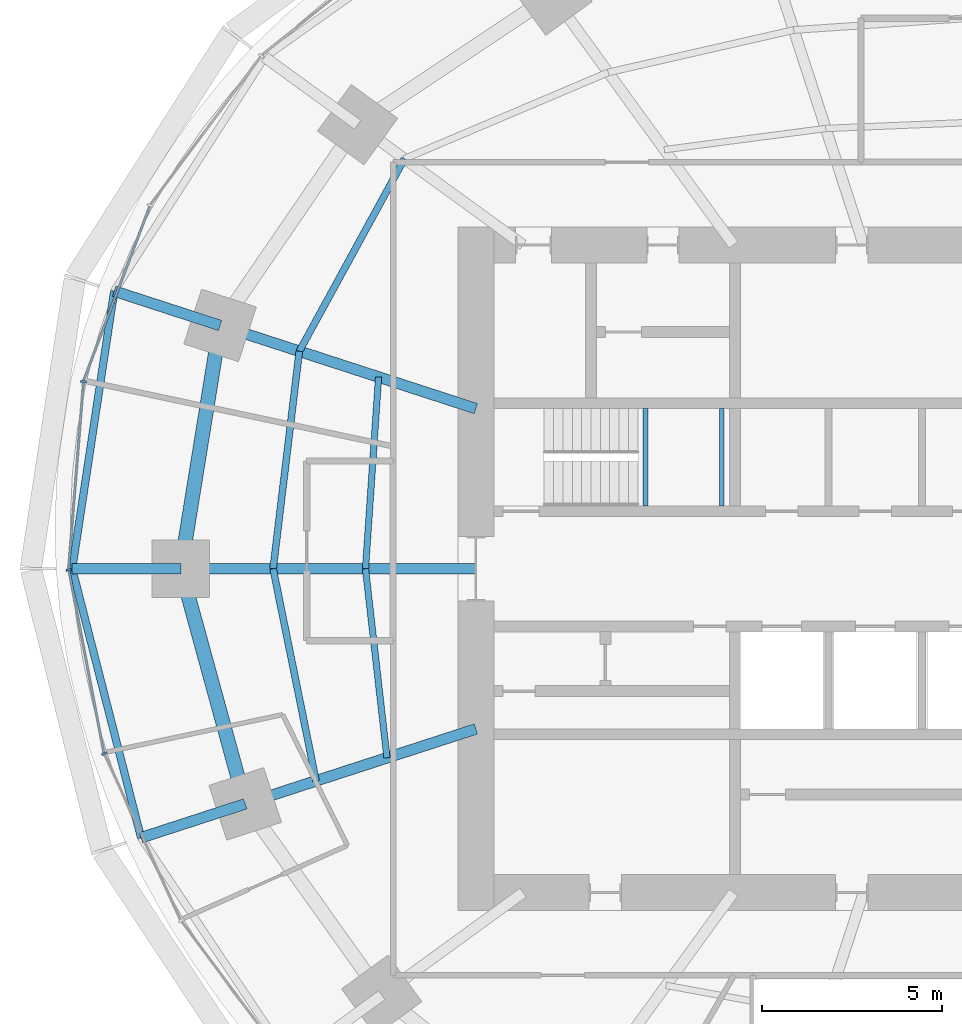
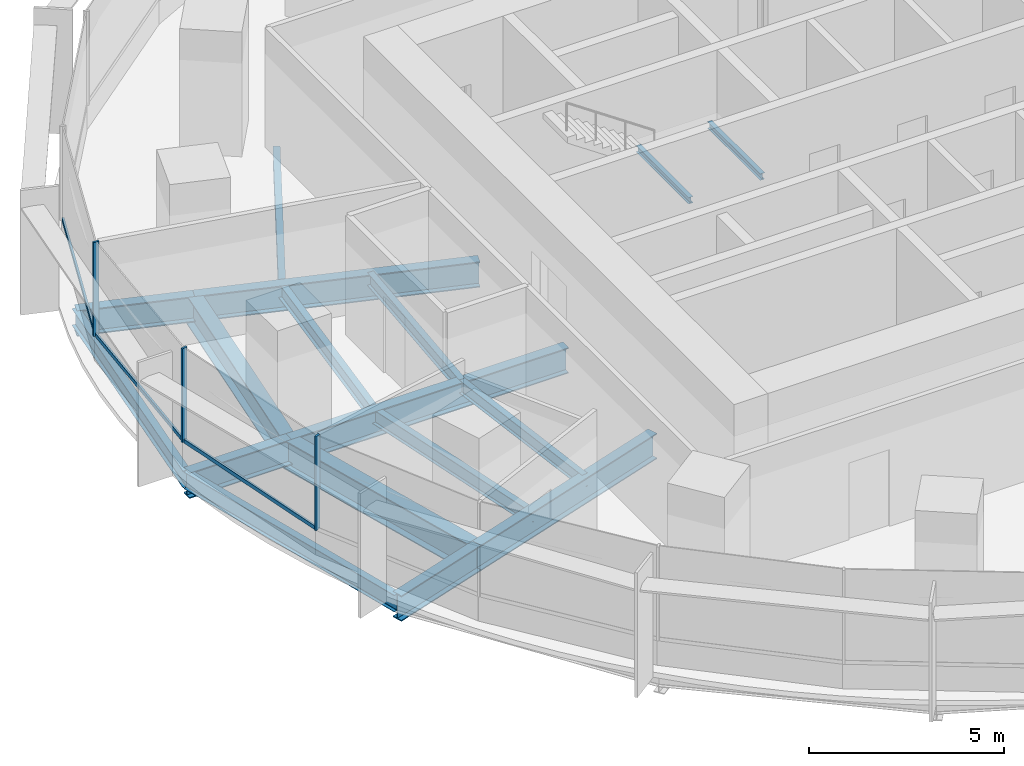
# One storey, part 4 of 14: 17 beams, 6 members, 2 elements without a shape of their own.
"""IFC4 building model written with IfcOpenShell, lengths in metres."""

import ifcopenshell
import ifcopenshell.guid

model = None  # the IFC model being written
_history = None  # IfcOwnerHistory: only IFC2X3 demands one
_inside = {}  # id of a spatial element -> (the spatial element, [elements in it])
_under = {}  # id of a project, library or spatial element -> (it, [spatial elements below it])
_declared = {}  # id of a project -> (the project, [libraries it declares])
_typed = {}  # id of a type object -> (the type object, [elements of that type])
_made_of = {}  # id of a material, layer set ... -> (it, [elements and type objects made of it])


def new_model(schema):
    """Start an empty IFC model of exactly this schema.

    Asked for "IFC4X3", IfcOpenShell would pick the latest addendum, in which some entities
    have other attributes; the version numbers below select the first issue.
    IFC2X3 requires an IfcOwnerHistory on every rooted entity: one is made here for all.
    """
    global model, _history
    if schema == "IFC4X3":
        model = ifcopenshell.file(schema_version=(4, 3, 0, 0))
    else:
        model = ifcopenshell.file(schema=schema)
    _inside.clear()
    _under.clear()
    _declared.clear()
    _typed.clear()
    _made_of.clear()
    _history = None
    if model.schema == "IFC2X3":
        org = make("IfcOrganization", Name="unknown")
        user = make(
            "IfcPersonAndOrganization",
            ThePerson=make("IfcPerson", FamilyName="unknown"),
            TheOrganization=org,
        )
        app = make(
            "IfcApplication",
            ApplicationDeveloper=org,
            Version="unknown",
            ApplicationFullName="unknown",
            ApplicationIdentifier="unknown",
        )
        _history = make(
            "IfcOwnerHistory",
            OwningUser=user,
            OwningApplication=app,
            ChangeAction="ADDED",
            CreationDate=0,
        )
    return model


def make(cls, **values):
    """One entity of the class cls with the attributes given. An attribute that is None is left unset."""
    return model.create_entity(
        cls, **{name: value for name, value in values.items() if value is not None}
    )


def rooted(cls, **values):
    """An entity with a GlobalId (a new one), such as an element, a storey or a relation."""
    return make(cls, GlobalId=ifcopenshell.guid.new(), OwnerHistory=_history, **values)


def si_unit(unit_type, name, prefix=None):
    """IfcSIUnit, for example si_unit("LENGTHUNIT", "METRE", prefix="MILLI")."""
    return make("IfcSIUnit", UnitType=unit_type, Prefix=prefix, Name=name)


def assignment(units):
    """IfcUnitAssignment: the units of a project."""
    return None if units is None else make("IfcUnitAssignment", Units=units)


def point(xyz):
    """IfcCartesianPoint."""
    return None if xyz is None else make("IfcCartesianPoint", Coordinates=xyz)


def direction(xyz):
    """IfcDirection."""
    return None if xyz is None else make("IfcDirection", DirectionRatios=xyz)


def frame(location, z_axis=None, x_axis=None):
    """IfcAxis2Placement3D, a coordinate frame: its origin and axes. An axis left out is left unset."""
    return make(
        "IfcAxis2Placement3D",
        Location=point(location),
        Axis=direction(z_axis),
        RefDirection=direction(x_axis),
    )


def frame_2d(location, x_axis=None):
    """IfcAxis2Placement2D, a coordinate frame in the plane: its origin and x axis."""
    return make(
        "IfcAxis2Placement2D", Location=point(location), RefDirection=direction(x_axis)
    )


def origin():
    """The frame at (0, 0, 0) with its axes left unset."""
    return frame((0.0, 0.0, 0.0))


def origin_2d():
    """The frame at (0, 0) in the plane with its x axis left unset."""
    return frame_2d((0.0, 0.0))


def place(relative_to, where):
    """IfcLocalPlacement: puts the frame where relative to a parent placement (None: the world)."""
    return make(
        "IfcLocalPlacement", PlacementRelTo=relative_to, RelativePlacement=where
    )


def context(
    kind, dimensions, precision=None, world=None, true_north=None, identifier=None
):
    """IfcGeometricRepresentationContext, for example the 3D "Model" context."""
    return make(
        "IfcGeometricRepresentationContext",
        ContextIdentifier=identifier,
        ContextType=kind,
        CoordinateSpaceDimension=dimensions,
        Precision=precision,
        WorldCoordinateSystem=world,
        TrueNorth=true_north,
    )


def subcontext(parent, identifier, kind, view, scale=None):
    """IfcGeometricRepresentationSubContext, for example "Body" below "Model"."""
    return make(
        "IfcGeometricRepresentationSubContext",
        ContextIdentifier=identifier,
        ContextType=kind,
        ParentContext=parent,
        TargetScale=scale,
        TargetView=view,
    )


def project(units=None, contexts=None):
    """IfcProject with its units and contexts."""
    return rooted(
        "IfcProject",
        Name="project",
        RepresentationContexts=contexts,
        UnitsInContext=assignment(units),
    )


def spatial(cls, under=None, at=None, **own):
    """A site, building, storey or space (cls), placed at a placement, below another one or the project."""
    s = rooted(cls, ObjectPlacement=at, **own)
    if under is not None:
        _under.setdefault(under.id(), (under, []))[1].append(s)
    return s


def profile(cls, at=None, kind="AREA", **sizes):
    """A parametric profile (cls). Its sizes go by their IFC names, for example OverallWidth=200.0."""
    return make(cls, ProfileType=kind, Position=at, **sizes)


def rectangle(**sizes):
    """IfcRectangleProfileDef."""
    return profile("IfcRectangleProfileDef", **sizes)


def i_section(**sizes):
    """IfcIShapeProfileDef."""
    return profile("IfcIShapeProfileDef", **sizes)


def extrude(swept, where, along, depth):
    """IfcExtrudedAreaSolid: the profile swept, set in the frame where, extruded along a direction by depth."""
    return make(
        "IfcExtrudedAreaSolid",
        SweptArea=swept,
        Position=where,
        ExtrudedDirection=direction(along),
        Depth=depth,
    )


def shape(context_of_items, identifier, shape_type, items):
    """IfcShapeRepresentation: the items that make up one representation, for example the "Body"."""
    return make(
        "IfcShapeRepresentation",
        ContextOfItems=context_of_items,
        RepresentationIdentifier=identifier,
        RepresentationType=shape_type,
        Items=items,
    )


def material(Name=None, Category=None):
    """IfcMaterial."""
    return make("IfcMaterial", Name=Name, Category=Category)


def material_profile(
    of_material, cross_section, Name=None, Category=None, Priority=None
):
    """IfcMaterialProfile: a cross section and its material."""
    return make(
        "IfcMaterialProfile",
        Name=Name,
        Material=of_material,
        Profile=cross_section,
        Priority=Priority,
        Category=Category,
    )


def profile_set(profiles, Name=None, composite=None):
    """IfcMaterialProfileSet."""
    return make(
        "IfcMaterialProfileSet",
        Name=Name,
        MaterialProfiles=profiles,
        CompositeProfile=composite,
    )


def made_of(thing, what):
    """Note that an element or type object is made of a material, layer set ...; save() writes the relation."""
    if what is not None:
        _made_of.setdefault(what.id(), (what, []))[1].append(thing)
    return thing


def type_object(cls, material=None, **own):
    """A type object (cls), such as IfcWallType, which elements share."""
    return made_of(rooted(cls, **own), material)


def element(
    cls,
    number,
    at=None,
    inside=None,
    cuts=None,
    type_object=None,
    material=None,
    context=None,
    identifier="Body",
    shape_type=None,
    held_by="IfcProductDefinitionShape",
    body=None,
    shapes=None,
    **own,
):
    """One element of the class cls, such as IfcWall. Its Tag is "e" and its number.

    at: its placement. inside: the storey or other place that contains it. cuts: it is an
    opening in that element (IfcRelVoidsElement). A single representation is given by context,
    identifier, shape_type and body (its items); several are given by shapes. held_by: the class
    of the entity that holds the representations. save() writes the other relations.
    """
    e = rooted(cls, Tag="e%d" % number, ObjectPlacement=at, **own)
    if body is not None:
        shapes = [shape(context, identifier, shape_type, body)]
    if shapes is not None:
        e.Representation = make(held_by, Representations=shapes)
    if inside is not None:
        _inside.setdefault(inside.id(), (inside, []))[1].append(e)
    if cuts is not None:
        rooted(
            "IfcRelVoidsElement", RelatingBuildingElement=cuts, RelatedOpeningElement=e
        )
    if type_object is not None:
        _typed.setdefault(type_object.id(), (type_object, []))[1].append(e)
    return made_of(e, material)


def aggregate(whole, parts):
    """IfcRelAggregates: a whole, such as a stair, and the parts it consists of."""
    return rooted("IfcRelAggregates", RelatingObject=whole, RelatedObjects=parts)


def save(model, path):
    """Write the relations noted so far, then the file.

    IfcRelAggregates (storeys below a building ...), IfcRelContainedInSpatialStructure (elements
    in a storey), IfcRelDefinesByType, IfcRelAssociatesMaterial and IfcRelDeclares: one each for
    every whole, place, type object, material and project.
    """
    for whole, parts in _under.values():
        aggregate(whole, parts)
    for where, things in _inside.values():
        rooted(
            "IfcRelContainedInSpatialStructure",
            RelatedElements=things,
            RelatingStructure=where,
        )
    for kind, things in _typed.values():
        rooted("IfcRelDefinesByType", RelatedObjects=things, RelatingType=kind)
    for what, things in _made_of.values():
        rooted("IfcRelAssociatesMaterial", RelatedObjects=things, RelatingMaterial=what)
    for by, libraries in _declared.values():
        rooted("IfcRelDeclares", RelatingContext=by, RelatedDefinitions=libraries)
    model.write(path)


model = new_model("IFC4")

# Units and contexts
model_context = context("Model", 3, precision=1e-05, world=origin(), true_north=direction((0.0, 1.0)))
body_context = subcontext(model_context, "Body", "Model", "MODEL_VIEW")
ifc_project = project(units=[si_unit("LENGTHUNIT", "METRE"), si_unit("AREAUNIT", "SQUARE_METRE"), si_unit("VOLUMEUNIT", "CUBIC_METRE"), si_unit("PLANEANGLEUNIT", "RADIAN"), si_unit("MASSUNIT", "GRAM", prefix="KILO")], contexts=[model_context])

# Site, building, storey
site_placement = place(None, origin())
site = spatial("IfcSite", under=ifc_project, at=site_placement, CompositionType="ELEMENT")
building_placement = place(site_placement, origin())
building = spatial("IfcBuilding", under=site, at=building_placement, Name="Marramba Exchange Tower", CompositionType="ELEMENT")
storey_placement = place(building_placement, frame((0.0, 0.0, 123.60009765625)))
storey = spatial("IfcBuildingStorey", under=building, at=storey_placement, Name="L29", CompositionType="ELEMENT", Elevation=123.60009765625)

# Beams
ifc_material_1 = material(Name="Steel AS/NZS 3679.2 grade 300", Category="steel")
ifc_material_profile_1 = material_profile(ifc_material_1, i_section(OverallWidth=0.300048828125, OverallDepth=0.800048828125, WebThickness=0.013916015625, FlangeThickness=0.031982421875, at=origin_2d()), Name="800WB192")
ifc_profile_set_1 = profile_set([ifc_material_profile_1], Name="Steel AS/NZS 3679.2 grade 300")
beam_type_1 = type_object("IfcBeamType", Name="Cantilever girder 800WB192", PredefinedType="BEAM", material=ifc_profile_set_1)
beam_1_placement = place(storey_placement, frame((-20.808349609375, 6.760986328125, -0.56005859375), z_axis=(-0.95104799017, 0.309043233858, 0.0), x_axis=(-0.309043233858, -0.95104799017, 0.0)))
element("IfcBeam", 1, at=beam_1_placement, inside=storey, type_object=beam_type_1, Name="Cantilever girder L29 TC10", PredefinedType="BEAM", context=body_context, shape_type="SweptSolid", body=[
    extrude(i_section(OverallWidth=0.300048828125, OverallDepth=0.800048828125, WebThickness=0.013916015625, FlangeThickness=0.031982421875, at=origin_2d()), origin(), (0.0, 0.0, 1.0), 3.0927734375),
])
beam_2_placement = place(storey_placement, frame((-21.89990234375, 0.0, -0.56005859375), z_axis=(-1.0, 0.0, 0.0), x_axis=(0.0, -1.0, 0.0)))
element("IfcBeam", 2, at=beam_2_placement, inside=storey, type_object=beam_type_1, Name="Cantilever girder L29 TC11", PredefinedType="BEAM", context=body_context, shape_type="SweptSolid", body=[
    extrude(i_section(OverallWidth=0.300048828125, OverallDepth=0.800048828125, WebThickness=0.013916015625, FlangeThickness=0.031982421875, at=origin_2d()), origin(), (0.0, 0.0, 1.0), 3.01806640625),
])
beam_3_placement = place(storey_placement, frame((-20.109375, -6.533935546875, -0.56005859375), z_axis=(-0.951070617775, -0.308973591113, 0.0), x_axis=(0.308973591113, -0.951070617775, 0.0)))
element("IfcBeam", 3, at=beam_3_placement, inside=storey, type_object=beam_type_1, Name="Cantilever girder L29 TC12", PredefinedType="BEAM", context=body_context, shape_type="SweptSolid", body=[
    extrude(i_section(OverallWidth=0.300048828125, OverallDepth=0.800048828125, WebThickness=0.013916015625, FlangeThickness=0.031982421875, at=origin_2d()), origin(), (0.0, 0.0, 1.0), 3.04296875),
])
ifc_material_2 = material(Name="Steel AS/NZS 3679.1 grade 300", Category="steel")
ifc_material_profile_2 = material_profile(ifc_material_2, i_section(OverallWidth=0.177978515625, OverallDepth=0.406005859375, WebThickness=0.0078125, FlangeThickness=0.0126953125, FilletRadius=0.011474609375, at=origin_2d()), Name="410UB59.7")
ifc_profile_set_2 = profile_set([ifc_material_profile_2], Name="Steel AS/NZS 3679.1 grade 300")
beam_type_2 = type_object("IfcBeamType", Name="Floor joist 410UB59.7", PredefinedType="JOIST", material=ifc_profile_set_2)
beam_4_placement = place(storey_placement, frame((-16.40283203125, 5.32958984375, -0.363037109375), z_axis=(-0.068096259546, -0.99767875563, 0.0), x_axis=(0.99767875563, -0.068096259546, 0.0)))
element("IfcBeam", 4, at=beam_4_placement, inside=storey, type_object=beam_type_2, Name="Joist L29 bay 10 row 1", PredefinedType="JOIST", context=body_context, shape_type="SweptSolid", body=[
    extrude(i_section(OverallWidth=0.177978515625, OverallDepth=0.406005859375, WebThickness=0.0078125, FlangeThickness=0.0126953125, FilletRadius=0.011474609375, at=origin_2d()), origin(), (0.0, 0.0, 1.0), 5.342041015625),
])
beam_5_placement = place(storey_placement, frame((-16.7666015625, 0.0, -0.363037109375), z_axis=(0.112888968594, -0.993607609054, 0.0), x_axis=(0.993607609054, 0.112888968594, 0.0)))
element("IfcBeam", 5, at=beam_5_placement, inside=storey, type_object=beam_type_2, Name="Joist L29 bay 11 row 1", PredefinedType="JOIST", context=body_context, shape_type="SweptSolid", body=[
    extrude(i_section(OverallWidth=0.177978515625, OverallDepth=0.406005859375, WebThickness=0.0078125, FlangeThickness=0.0126953125, FilletRadius=0.011474609375, at=origin_2d()), origin(), (0.0, 0.0, 1.0), 5.28759765625),
])
ifc_material_profile_3 = material_profile(ifc_material_2, i_section(OverallWidth=0.18994140625, OverallDepth=0.4541015625, WebThickness=0.008544921875, FlangeThickness=0.0126953125, FilletRadius=0.011474609375, at=origin_2d()), Name="460UB67.1")
ifc_profile_set_3 = profile_set([ifc_material_profile_3], Name="Steel AS/NZS 3679.1 grade 300")
beam_type_3 = type_object("IfcBeamType", Name="Floor joist 460UB67.1", PredefinedType="JOIST", material=ifc_profile_set_3)
beam_6_placement = place(storey_placement, frame((-15.682373046875, 11.393798828125, -0.38720703125), z_axis=(-0.479584443791, -0.877495732909, 0.0), x_axis=(0.877495732909, -0.479584443791, 0.0)))
element("IfcBeam", 6, at=beam_6_placement, inside=storey, type_object=beam_type_3, Name="Joist L29 bay 09 row 2", PredefinedType="JOIST", context=body_context, shape_type="SweptSolid", body=[
    extrude(i_section(OverallWidth=0.18994140625, OverallDepth=0.4541015625, WebThickness=0.008544921875, FlangeThickness=0.0126953125, FilletRadius=0.011474609375, at=origin_2d()), origin(), (0.0, 0.0, 1.0), 6.094970703125),
])
beam_7_placement = place(storey_placement, frame((-18.60546875, 6.04541015625, -0.38720703125), z_axis=(-0.119523078538, -0.992831422597, 0.0), x_axis=(0.992831422597, -0.119523078538, 0.0)))
element("IfcBeam", 7, at=beam_7_placement, inside=storey, type_object=beam_type_3, Name="Joist L29 bay 10 row 2", PredefinedType="JOIST", context=body_context, shape_type="SweptSolid", body=[
    extrude(i_section(OverallWidth=0.18994140625, OverallDepth=0.4541015625, WebThickness=0.008544921875, FlangeThickness=0.0126953125, FilletRadius=0.011474609375, at=origin_2d()), origin(), (0.0, 0.0, 1.0), 6.089111328125),
])
beam_8_placement = place(storey_placement, frame((-19.333251953125, 0.0, -0.38720703125), z_axis=(0.198489047047, -0.980103105904, 0.0), x_axis=(0.980103105904, 0.198489047047, 0.0)))
element("IfcBeam", 8, at=beam_8_placement, inside=storey, type_object=beam_type_3, Name="Joist L29 bay 11 row 2", PredefinedType="JOIST", context=body_context, shape_type="SweptSolid", body=[
    extrude(i_section(OverallWidth=0.18994140625, OverallDepth=0.4541015625, WebThickness=0.008544921875, FlangeThickness=0.0126953125, FilletRadius=0.011474609375, at=origin_2d()), origin(), (0.0, 0.0, 1.0), 6.013427734375),
])

# Curtain wall, member
ifc_material_3 = material(Name="Aluminium framing, bronze anodised", Category="aluminium")
curtain_wall_type = type_object("IfcCurtainWallType", Name="Office ribbon curtain wall", PredefinedType="USERDEFINED", material=ifc_material_3)
curtain_wall_1_placement = place(storey_placement, origin())
curtain_wall_1 = element("IfcCurtainWall", 9, at=curtain_wall_1_placement, inside=storey, type_object=curtain_wall_type, Name="Curtain wall CW4 L29 F11-F15", ObjectType="RIBBON CURTAIN WALL", PredefinedType="USERDEFINED")
ifc_material_4 = material(Name="Aluminium mullion, bronze anodised", Category="aluminium")
ifc_material_profile_4 = material_profile(ifc_material_4, rectangle(XDim=0.159912109375, YDim=0.06005859375, at=origin_2d()), Name="CW4 mullion 60x160")
ifc_profile_set_4 = profile_set([ifc_material_profile_4], Name="Aluminium mullion, bronze anodised")
member_type_1 = type_object("IfcMemberType", Name="Office ribbon curtain wall mullion", PredefinedType="MULLION", material=ifc_profile_set_4)
member_1_placement = place(storey_placement, frame((-24.603515625, 5.19921875, 0.7998046875), z_axis=(0.0, 0.0, 1.0), x_axis=(0.996838079455, -0.079459696383, 0.0)))
member_1 = element("IfcMember", 10, at=member_1_placement, type_object=member_type_1, Name="CW4 mullion 1", PredefinedType="MULLION", context=body_context, shape_type="SweptSolid", body=[
    extrude(rectangle(XDim=0.159912109375, YDim=0.06005859375, at=origin_2d()), origin(), (0.0, 0.0, 1.0), 2.940185546875),
])

# Curtain wall, members
curtain_wall_2_placement = place(storey_placement, origin())
curtain_wall_2 = element("IfcCurtainWall", 11, at=curtain_wall_2_placement, inside=storey, type_object=curtain_wall_type, Name="Curtain wall CW4 L29 F16-F20", ObjectType="RIBBON CURTAIN WALL", PredefinedType="USERDEFINED")
member_2_placement = place(storey_placement, frame((-25.012451171875, -0.029541015625, 0.7998046875), z_axis=(0.0, 0.0, 1.0), x_axis=(0.982125509078, 0.18822721487, 0.0)))
member_2 = element("IfcMember", 12, at=member_2_placement, type_object=member_type_1, Name="CW4 mullion 1", PredefinedType="MULLION", context=body_context, shape_type="SweptSolid", body=[
    extrude(rectangle(XDim=0.159912109375, YDim=0.06005859375, at=origin_2d()), origin(), (0.0, 0.0, 1.0), 2.940185546875),
])
member_3_placement = place(storey_placement, frame((-24.026123046875, -5.136962890625, 0.7998046875), z_axis=(0.0, 0.0, 1.0), x_axis=(0.909026713177, 0.416737848929, 0.0)))
member_3 = element("IfcMember", 13, at=member_3_placement, type_object=member_type_1, Name="CW4 mullion 1", PredefinedType="MULLION", context=body_context, shape_type="SweptSolid", body=[
    extrude(rectangle(XDim=0.159912109375, YDim=0.06005859375, at=origin_2d()), origin(), (0.0, 0.0, 1.0), 2.940185546875),
])

# Member
ifc_material_5 = material(Name="Aluminium transom, bronze anodised", Category="aluminium")
ifc_material_profile_5 = material_profile(ifc_material_5, rectangle(XDim=0.06005859375, YDim=0.1201171875, at=origin_2d()), Name="CW4 transom 60x120")
ifc_profile_set_5 = profile_set([ifc_material_profile_5], Name="Aluminium transom, bronze anodised")
member_type_2 = type_object("IfcMemberType", Name="Office ribbon curtain wall transom", PredefinedType="USERDEFINED", material=ifc_profile_set_5)
member_4_placement = place(storey_placement, frame((-22.763916015625, 10.069580078125, 0.829833984375), z_axis=(-0.354851822252, -0.934922555212, 0.0), x_axis=(0.934922555212, -0.354851822252, 0.0)))
member_4 = element("IfcMember", 14, at=member_4_placement, type_object=member_type_2, Name="CW4 sill transom", ObjectType="TRANSOM", PredefinedType="USERDEFINED", context=body_context, shape_type="SweptSolid", body=[
    extrude(rectangle(XDim=0.06005859375, YDim=0.1201171875, at=origin_2d()), origin(), (0.0, 0.0, 1.0), 5.17724609375),
])

member_5_placement = place(storey_placement, frame((-24.60595703125, 5.16943359375, 0.829833984375), z_axis=(-0.07946828762, -0.996837394595, 0.0), x_axis=(0.996837394595, -0.07946828762, 0.0)))
member_5 = element("IfcMember", 15, at=member_5_placement, type_object=member_type_2, Name="CW4 sill transom", ObjectType="TRANSOM", PredefinedType="USERDEFINED", context=body_context, shape_type="SweptSolid", body=[
    extrude(rectangle(XDim=0.06005859375, YDim=0.1201171875, at=origin_2d()), origin(), (0.0, 0.0, 1.0), 5.185791015625),
])

aggregate(curtain_wall_1, [member_4, member_1, member_5])

member_6_placement = place(storey_placement, frame((-25.006591796875, -0.058837890625, 0.829833984375), z_axis=(0.188185293992, -0.982133542409, 0.0), x_axis=(0.982133542409, 0.188185293992, 0.0)))
member_6 = element("IfcMember", 16, at=member_6_placement, type_object=member_type_2, Name="CW4 sill transom", ObjectType="TRANSOM", PredefinedType="USERDEFINED", context=body_context, shape_type="SweptSolid", body=[
    extrude(rectangle(XDim=0.06005859375, YDim=0.1201171875, at=origin_2d()), origin(), (0.0, 0.0, 1.0), 5.142578125),
])

aggregate(curtain_wall_2, [member_2, member_6, member_3])

# Beams
ifc_material_profile_6 = material_profile(ifc_material_1, i_section(OverallWidth=0.300048828125, OverallDepth=0.800048828125, WebThickness=0.013916015625, FlangeThickness=0.031982421875, at=origin_2d()), Name="800WB192")
ifc_profile_set_6 = profile_set([ifc_material_profile_6], Name="Steel AS/NZS 3679.2 grade 300")
beam_type_4 = type_object("IfcBeamType", Name="Radial girder 800WB192", PredefinedType="BEAM", material=ifc_profile_set_6)
beam_9_placement = place(storey_placement, frame((-13.699951171875, 4.451416015625, -0.56005859375), z_axis=(-0.951059990189, 0.309006302624, 0.0), x_axis=(-0.309006302624, -0.951059990189, 0.0)))
element("IfcBeam", 17, at=beam_9_placement, inside=storey, type_object=beam_type_4, Name="Radial girder L29 TC10", PredefinedType="BEAM", context=body_context, shape_type="SweptSolid", body=[
    extrude(i_section(OverallWidth=0.300048828125, OverallDepth=0.800048828125, WebThickness=0.013916015625, FlangeThickness=0.031982421875, at=origin_2d()), origin(), (0.0, 0.0, 1.0), 7.47412109375),
])
beam_10_placement = place(storey_placement, frame((-13.699951171875, 0.0, -0.56005859375), z_axis=(-1.0, 0.0, 0.0), x_axis=(0.0, -1.0, 0.0)))
element("IfcBeam", 18, at=beam_10_placement, inside=storey, type_object=beam_type_4, Name="Radial girder L29 TC11", PredefinedType="BEAM", context=body_context, shape_type="SweptSolid", body=[
    extrude(i_section(OverallWidth=0.300048828125, OverallDepth=0.800048828125, WebThickness=0.013916015625, FlangeThickness=0.031982421875, at=origin_2d()), origin(), (0.0, 0.0, 1.0), 8.199951171875),
])
beam_11_placement = place(storey_placement, frame((-13.699951171875, -4.451416015625, -0.56005859375), z_axis=(-0.951057759669, -0.309013167637, 0.0), x_axis=(0.309013167637, -0.951057759669, 0.0)))
element("IfcBeam", 19, at=beam_11_placement, inside=storey, type_object=beam_type_4, Name="Radial girder L29 TC12", PredefinedType="BEAM", context=body_context, shape_type="SweptSolid", body=[
    extrude(i_section(OverallWidth=0.300048828125, OverallDepth=0.800048828125, WebThickness=0.013916015625, FlangeThickness=0.031982421875, at=origin_2d()), origin(), (0.0, 0.0, 1.0), 6.7392578125),
])
ifc_material_profile_7 = material_profile(ifc_material_1, i_section(OverallWidth=0.39990234375, OverallDepth=0.89990234375, WebThickness=0.01611328125, FlangeThickness=0.031982421875, at=origin_2d()), Name="900WB282")
ifc_profile_set_7 = profile_set([ifc_material_profile_7], Name="Steel AS/NZS 3679.2 grade 300")
beam_type_5 = type_object("IfcBeamType", Name="Ring beam 900WB282", PredefinedType="SPANDREL", material=ifc_profile_set_7)
beam_12_placement = place(storey_placement, frame((-20.808349609375, 6.760986328125, -0.610107421875), z_axis=(-0.159384865399, -0.987216523708, 0.0), x_axis=(0.987216523708, -0.159384865399, 0.0)))
element("IfcBeam", 20, at=beam_12_placement, inside=storey, type_object=beam_type_5, Name="Ring beam L29 TC10-TC11", PredefinedType="SPANDREL", context=body_context, shape_type="SweptSolid", body=[
    extrude(i_section(OverallWidth=0.39990234375, OverallDepth=0.89990234375, WebThickness=0.01611328125, FlangeThickness=0.031982421875, at=origin_2d()), origin(), (0.0, 0.0, 1.0), 6.8486328125),
])
beam_13_placement = place(storey_placement, frame((-21.89990234375, 0.0, -0.610107421875), z_axis=(0.264291166956, -0.964442937176, 0.0), x_axis=(0.964442937176, 0.264291166956, 0.0)))
element("IfcBeam", 21, at=beam_13_placement, inside=storey, type_object=beam_type_5, Name="Ring beam L29 TC11-TC12", PredefinedType="SPANDREL", context=body_context, shape_type="SweptSolid", body=[
    extrude(i_section(OverallWidth=0.39990234375, OverallDepth=0.89990234375, WebThickness=0.01611328125, FlangeThickness=0.031982421875, at=origin_2d()), origin(), (0.0, 0.0, 1.0), 6.77490234375),
])
ifc_material_profile_8 = material_profile(ifc_material_2, i_section(OverallWidth=0.208984375, OverallDepth=0.528076171875, WebThickness=0.009521484375, FlangeThickness=0.01318359375, FilletRadius=0.013916015625, at=origin_2d()), Name="530UB82.0")
ifc_profile_set_8 = profile_set([ifc_material_profile_8], Name="Steel AS/NZS 3679.1 grade 300")
beam_type_6 = type_object("IfcBeamType", Name="Slab edge beam 530UB82.0", PredefinedType="SPANDREL", material=ifc_profile_set_8)
beam_14_placement = place(storey_placement, frame((-23.749755859375, 7.716796875, -0.424072265625), z_axis=(-0.149680281727, -0.988734450326, 0.0), x_axis=(0.988734450326, -0.149680281727, 0.0)))
element("IfcBeam", 22, at=beam_14_placement, inside=storey, type_object=beam_type_6, Name="Slab edge beam L29 TC10-TC11", PredefinedType="SPANDREL", context=body_context, shape_type="SweptSolid", body=[
    extrude(i_section(OverallWidth=0.208984375, OverallDepth=0.528076171875, WebThickness=0.009521484375, FlangeThickness=0.01318359375, FilletRadius=0.013916015625, at=origin_2d()), origin(), (0.0, 0.0, 1.0), 7.8046875),
])
beam_15_placement = place(storey_placement, frame((-24.91796875, 0.0, -0.424072265625), z_axis=(0.248145427917, -0.968722791413, 0.0), x_axis=(0.968722791413, 0.248145427917, 0.0)))
element("IfcBeam", 23, at=beam_15_placement, inside=storey, type_object=beam_type_6, Name="Slab edge beam L29 TC11-TC12", PredefinedType="SPANDREL", context=body_context, shape_type="SweptSolid", body=[
    extrude(i_section(OverallWidth=0.208984375, OverallDepth=0.528076171875, WebThickness=0.009521484375, FlangeThickness=0.01318359375, FilletRadius=0.013916015625, at=origin_2d()), origin(), (0.0, 0.0, 1.0), 7.71533203125),
])
ifc_material_profile_9 = material_profile(ifc_material_2, i_section(OverallWidth=0.133056640625, OverallDepth=0.202880859375, WebThickness=0.005859375, FlangeThickness=0.0078125, FilletRadius=0.0087890625, at=origin_2d()), Name="200UB25.4")
ifc_profile_set_9 = profile_set([ifc_material_profile_9], Name="Steel AS/NZS 3679.1 grade 300")
beam_type_7 = type_object("IfcBeamType", Name="Stair landing beam 200UB25.4", PredefinedType="BEAM", material=ifc_profile_set_9)
for number, where, z_axis, x_axis, name in (
    (24, (-8.9833984375, 1.75, 1.6484375), (0.0, 1.0, 0.0), (-1.0, 0.0, 0.0), "Stair landing beam SLB1 ST1 L29 1"),
    (25, (-6.866455078125, 1.75, 1.6484375), (0.0, 1.0, 0.0), (-1.0, 0.0, 0.0), "Stair landing beam SLB1 ST1 L29 2"),
):
    element("IfcBeam", number, at=place(storey_placement, frame(where, z_axis=z_axis, x_axis=x_axis)), inside=storey, type_object=beam_type_7, Name=name, PredefinedType="BEAM", context=body_context, shape_type="SweptSolid", body=[
        extrude(i_section(OverallWidth=0.133056640625, OverallDepth=0.202880859375, WebThickness=0.005859375, FlangeThickness=0.0078125, FilletRadius=0.0087890625, at=origin_2d()), origin(), (0.0, 0.0, 1.0), 2.699951171875),
    ])

save(model, "model.ifc")
